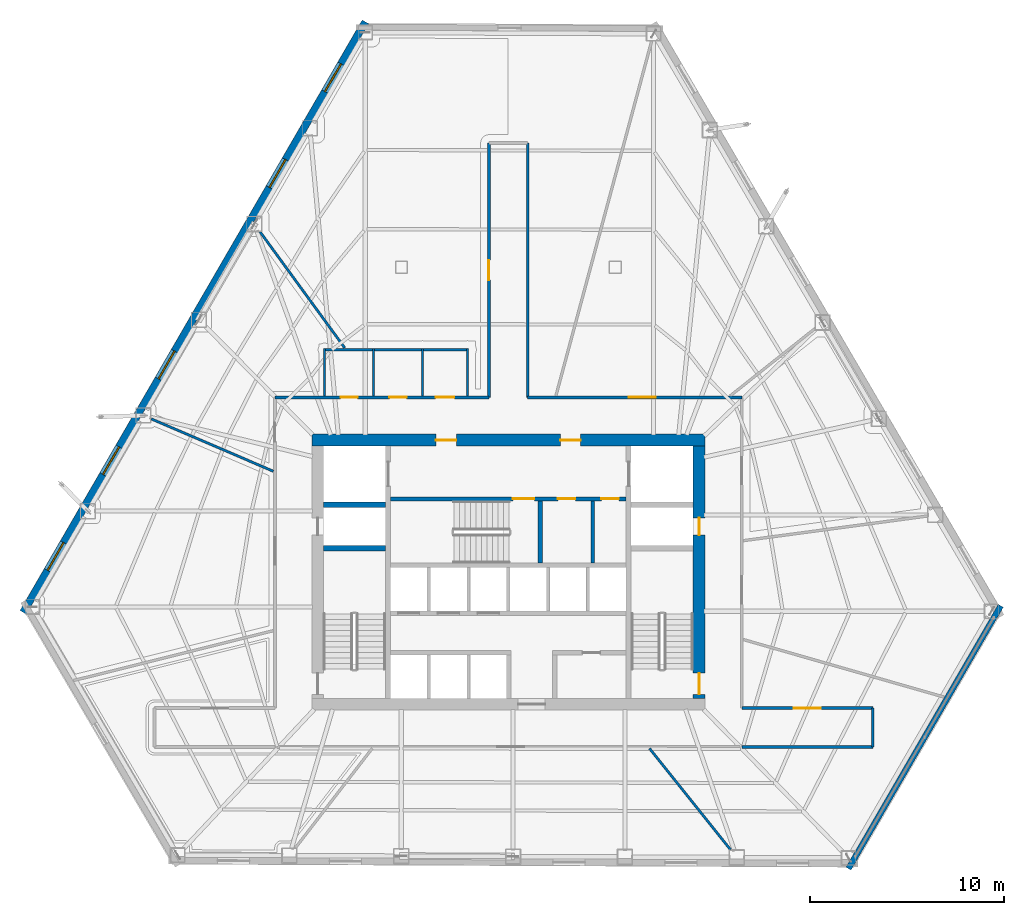
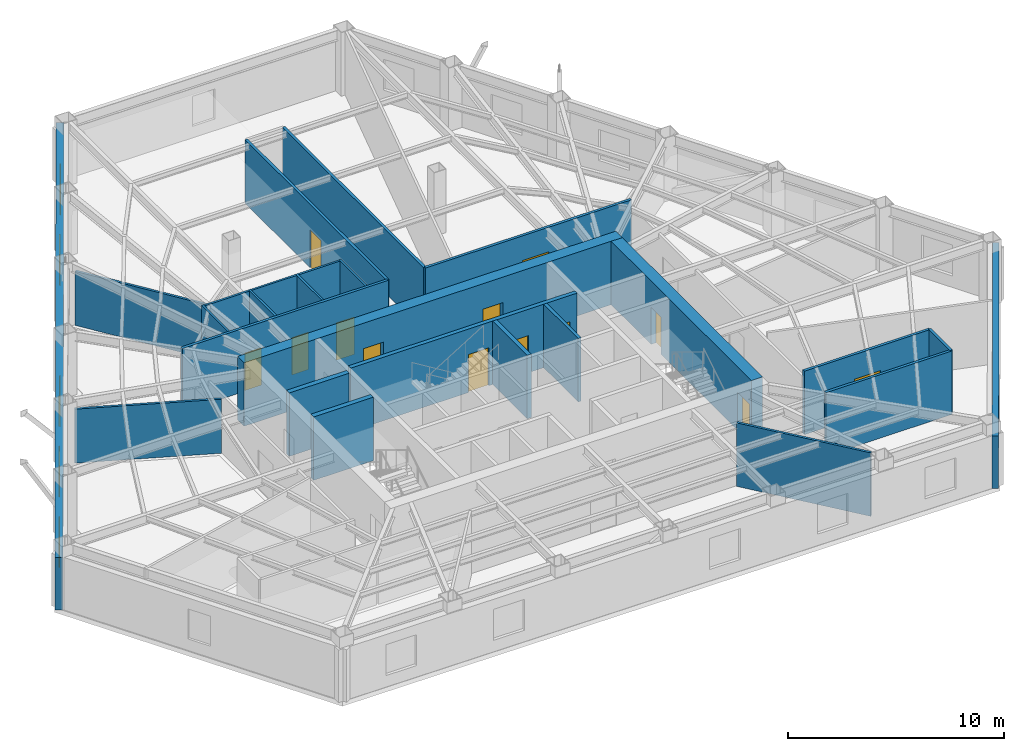
# One storey, part 10 of 14: 24 walls, 13 doors, 5 windows, 18 openings.
"""IFC4 building model written with IfcOpenShell, lengths in metres."""

from ifc_helpers import new_model, si_unit, direction, frame, frame_2d, origin, place, context, subcontext, project, spatial, rectangle, extrude, material, layer, layer_set, type_object, element, fill, save


model = new_model("IFC4")

# Units and contexts
model_context = context("Model", 3, precision=1e-05, world=origin(), true_north=direction((0.0, 1.0)))
body_context = subcontext(model_context, "Body", "Model", "MODEL_VIEW")
ifc_project = project(units=[si_unit("LENGTHUNIT", "METRE"), si_unit("AREAUNIT", "SQUARE_METRE"), si_unit("VOLUMEUNIT", "CUBIC_METRE"), si_unit("PLANEANGLEUNIT", "RADIAN"), si_unit("MASSUNIT", "GRAM", prefix="KILO")], contexts=[model_context])

# Site, building, storey
site_placement = place(None, origin())
site = spatial("IfcSite", under=ifc_project, at=site_placement, CompositionType="ELEMENT")
building_placement = place(site_placement, origin())
building = spatial("IfcBuilding", under=site, at=building_placement, Name="Kavelnor Concourse Tower", CompositionType="ELEMENT")
storey_placement = place(building_placement, frame((0.0, 0.0, 52.199951171875)))
storey = spatial("IfcBuildingStorey", under=building, at=storey_placement, Name="L13", CompositionType="ELEMENT", Elevation=52.199951171875)

# Wall, openings, doors
ifc_material_1 = material(Name="Concrete C60/75", Category="concrete")
ifc_layer_1 = layer(ifc_material_1, 0.60009765625, Name="Concrete C60/75")
ifc_layer_set_1 = layer_set([ifc_layer_1], Name="Concrete C60/75")
wall_type_1 = type_object("IfcWallType", Name="WL-CORE-Z1-600", PredefinedType="SOLIDWALL", material=ifc_layer_set_1)
wall_1_placement = place(storey_placement, frame((27.8798828125, 22.89990234375, 0.0), z_axis=(0.0, 0.0, 1.0), x_axis=(1.0, 0.0, 0.0)))
wall_1 = element("IfcWall", 1, at=wall_1_placement, inside=storey, type_object=wall_type_1, Name="L13 Central Core North Shear Wall", PredefinedType="SOLIDWALL", context=body_context, shape_type="SweptSolid", body=[
    extrude(rectangle(XDim=20.240234375, YDim=0.60009765625, at=frame_2d((10.1201171875, 0.0))), origin(), (0.0, 0.0, 1.0), 3.590087890625),
])
opening_1_placement = place(wall_1_placement, frame((6.39501953125, 0.0, 0.0)))
opening_1 = element("IfcOpeningElement", 2, at=opening_1_placement, cuts=wall_1, Name="Opening FD-105", PredefinedType="OPENING", context=body_context, shape_type="SweptSolid", body=[
    extrude(rectangle(XDim=1.050048828125, YDim=2.14990234375, at=frame_2d((0.52490234375, 1.074951171875))), frame((0.0, 0.31005859375, 0.0), z_axis=(0.0, -1.0, 0.0), x_axis=(1.0, 0.0, 0.0)), (0.0, 0.0, 1.0), 0.6201171875),
])
opening_2_placement = place(wall_1_placement, frame((12.794921875, 0.0, 0.0)))
opening_2 = element("IfcOpeningElement", 3, at=opening_2_placement, cuts=wall_1, Name="Opening FD-105", PredefinedType="OPENING", context=body_context, shape_type="SweptSolid", body=[
    extrude(rectangle(XDim=1.050048828125, YDim=2.14990234375, at=frame_2d((0.52490234375, 1.074951171875))), frame((0.0, 0.31005859375, 0.0), z_axis=(0.0, -1.0, 0.0), x_axis=(1.0, 0.0, 0.0)), (0.0, 0.0, 1.0), 0.6201171875),
])
ifc_material_2 = material(Name="Steel Grade 350", Category="steel")
door_type_1 = type_object("IfcDoorType", Name="DR-LOBBY-FIRE-1050", OperationType="NOTDEFINED", PredefinedType="DOOR", material=ifc_material_2)
door_1_placement = place(opening_1_placement, origin())
door_1 = element("IfcDoor", 4, at=door_1_placement, inside=storey, type_object=door_type_1, Name="L13 Emergency Lift Lobby West Door", OperationType="SINGLE_SWING_LEFT", OverallHeight=2.14990234375, OverallWidth=1.050048828125, PredefinedType="DOOR", context=body_context, shape_type="SweptSolid", body=[
    extrude(rectangle(XDim=1.050048828125, YDim=2.14990234375, at=frame_2d((0.52490234375, 1.074951171875))), frame((0.0, 0.02490234375, 0.0), z_axis=(0.0, -1.0, 0.0), x_axis=(1.0, 0.0, 0.0)), (0.0, 0.0, 1.0), 0.050048828125),
])
fill(opening_1, door_1)
door_2_placement = place(opening_2_placement, origin())
door_2 = element("IfcDoor", 5, at=door_2_placement, inside=storey, type_object=door_type_1, Name="L13 Emergency Lift Lobby East Door", OperationType="SINGLE_SWING_RIGHT", OverallHeight=2.14990234375, OverallWidth=1.050048828125, PredefinedType="DOOR", context=body_context, shape_type="SweptSolid", body=[
    extrude(rectangle(XDim=1.050048828125, YDim=2.14990234375, at=frame_2d((0.52490234375, 1.074951171875))), frame((0.0, 0.02490234375, 0.0), z_axis=(0.0, -1.0, 0.0), x_axis=(1.0, 0.0, 0.0)), (0.0, 0.0, 1.0), 0.050048828125),
])
fill(opening_2, door_2)

wall_2_placement = place(storey_placement, frame((47.820068359375, 9.60009765625, 0.0), z_axis=(0.0, 0.0, 1.0), x_axis=(0.0, 1.0, 0.0)))
wall_2 = element("IfcWall", 6, at=wall_2_placement, inside=storey, type_object=wall_type_1, Name="L13 Central Core East Shear Wall", PredefinedType="SOLIDWALL", context=body_context, shape_type="SweptSolid", body=[
    extrude(rectangle(XDim=13.0, YDim=0.60009765625, at=frame_2d((6.5, 0.0))), origin(), (0.0, 0.0, 1.0), 3.590087890625),
])
opening_3_placement = place(wall_2_placement, frame((0.199951171875, 0.0, 0.0)))
opening_3 = element("IfcOpeningElement", 7, at=opening_3_placement, cuts=wall_2, Name="Opening FD-110", PredefinedType="OPENING", context=body_context, shape_type="SweptSolid", body=[
    extrude(rectangle(XDim=1.10009765625, YDim=2.14990234375, at=frame_2d((0.550048828125, 1.074951171875))), frame((0.0, 0.31005859375, 0.0), z_axis=(0.0, -1.0, 0.0), x_axis=(1.0, 0.0, 0.0)), (0.0, 0.0, 1.0), 0.6201171875),
])
opening_4_placement = place(wall_2_placement, frame((8.39990234375, 0.0, 0.0)))
opening_4 = element("IfcOpeningElement", 8, at=opening_4_placement, cuts=wall_2, Name="Opening FD-090", PredefinedType="OPENING", context=body_context, shape_type="SweptSolid", body=[
    extrude(rectangle(XDim=0.89990234375, YDim=2.10009765625, at=frame_2d((0.449951171875, 1.050048828125))), frame((0.0, 0.31005859375, 0.0), z_axis=(0.0, -1.0, 0.0), x_axis=(1.0, 0.0, 0.0)), (0.0, 0.0, 1.0), 0.6201171875),
])
door_type_2 = type_object("IfcDoorType", Name="DR-RISER-FIRE-900", OperationType="NOTDEFINED", PredefinedType="DOOR", material=ifc_material_2)
door_3_placement = place(opening_4_placement, origin())
door_3 = element("IfcDoor", 9, at=door_3_placement, inside=storey, type_object=door_type_2, Name="L13 East Riser Access Door", OperationType="SINGLE_SWING_LEFT", OverallHeight=2.10009765625, OverallWidth=0.89990234375, PredefinedType="DOOR", context=body_context, shape_type="SweptSolid", body=[
    extrude(rectangle(XDim=0.89990234375, YDim=2.10009765625, at=frame_2d((0.449951171875, 1.050048828125))), frame((0.0, 0.02490234375, 0.0), z_axis=(0.0, -1.0, 0.0), x_axis=(1.0, 0.0, 0.0)), (0.0, 0.0, 1.0), 0.050048828125),
])
fill(opening_4, door_3)
door_type_3 = type_object("IfcDoorType", Name="DR-STAIR-FIRE-1100", OperationType="NOTDEFINED", PredefinedType="DOOR", material=ifc_material_2)
door_4_placement = place(opening_3_placement, origin())
door_4 = element("IfcDoor", 10, at=door_4_placement, inside=storey, type_object=door_type_3, Name="L13 Stair ST2 Fire Door", OperationType="SINGLE_SWING_RIGHT", OverallHeight=2.14990234375, OverallWidth=1.10009765625, PredefinedType="DOOR", context=body_context, shape_type="SweptSolid", body=[
    extrude(rectangle(XDim=1.10009765625, YDim=2.14990234375, at=frame_2d((0.550048828125, 1.074951171875))), frame((0.0, 0.02490234375, 0.0), z_axis=(0.0, -1.0, 0.0), x_axis=(1.0, 0.0, 0.0)), (0.0, 0.0, 1.0), 0.050048828125),
])
fill(opening_3, door_4)

# Wall
ifc_material_3 = material(Name="Buff ironspot clay face brick masonry", Category="masonry")
ifc_layer_2 = layer(ifc_material_3, 0.300048828125, Name="Buff ironspot clay face brick masonry")
ifc_layer_set_2 = layer_set([ifc_layer_2], Name="Buff ironspot clay face brick masonry")
wall_type_2 = type_object("IfcWallType", Name="WL-EXT-BUFF-BRICK-FOLD-300", PredefinedType="STANDARD", material=ifc_layer_set_2)
wall_3_placement = place(storey_placement, frame((63.35693359375, 14.366943359375, 0.0), z_axis=(0.0, 0.0, 1.0), x_axis=(-0.501382622634, -0.86522567329, 0.0)))
element("IfcWall", 11, at=wall_3_placement, inside=storey, type_object=wall_type_2, Name="L13 Exterior Brick Facade Wall E4", PredefinedType="STANDARD", context=body_context, shape_type="SweptSolid", body=[
    extrude(rectangle(XDim=15.641845703125, YDim=0.300048828125, at=frame_2d((7.82080078125, 0.0))), origin(), (0.0, 0.0, 1.0), 2.969970703125),
])

# Wall, openings, windows
ifc_material_4 = material(Name="Red-ochre clay face brick masonry", Category="masonry")
ifc_layer_3 = layer(ifc_material_4, 0.3798828125, Name="Red-ochre clay face brick masonry")
ifc_layer_set_3 = layer_set([ifc_layer_3], Name="Red-ochre clay face brick masonry")
wall_type_3 = type_object("IfcWallType", Name="WL-EXT-RED-BRICK-PIER-380", PredefinedType="STANDARD", material=ifc_layer_set_3)
wall_4_placement = place(storey_placement, frame((13.020263671875, 14.0283203125, 0.0), z_axis=(0.0, 0.0, 1.0), x_axis=(0.501385664719, 0.86522391045, 0.0)))
wall_4 = element("IfcWall", 12, at=wall_4_placement, inside=storey, type_object=wall_type_3, Name="L13 Exterior Brick Facade Wall E1", PredefinedType="STANDARD", context=body_context, shape_type="SweptSolid", body=[
    extrude(rectangle(XDim=35.142333984375, YDim=0.3798828125, at=frame_2d((17.5712890625, 0.0))), origin(), (0.0, 0.0, 1.0), 2.969970703125),
])
opening_5_placement = place(wall_4_placement, frame((30.99072265625, 0.0, 0.64990234375)))
opening_5 = element("IfcOpeningElement", 13, at=opening_5_placement, cuts=wall_4, Name="Opening W-01", PredefinedType="OPENING", context=body_context, shape_type="SweptSolid", body=[
    extrude(rectangle(XDim=1.64990234375, YDim=1.75, at=frame_2d((0.824951171875, 0.875))), frame((0.0, 0.199951171875, 0.0), z_axis=(0.0, -1.0, 0.0), x_axis=(1.0, 0.0, 0.0)), (0.0, 0.0, 1.0), 0.39990234375),
])
opening_6_placement = place(wall_4_placement, frame((25.293212890625, 0.0, 0.64990234375)))
opening_6 = element("IfcOpeningElement", 14, at=opening_6_placement, cuts=wall_4, Name="Opening W-01", PredefinedType="OPENING", context=body_context, shape_type="SweptSolid", body=[
    extrude(rectangle(XDim=1.64990234375, YDim=1.75, at=frame_2d((0.824951171875, 0.875))), frame((0.0, 0.199951171875, 0.0), z_axis=(0.0, -1.0, 0.0), x_axis=(1.0, 0.0, 0.0)), (0.0, 0.0, 1.0), 0.39990234375),
])
opening_7_placement = place(wall_4_placement, frame((13.898193359375, 0.0, 0.64990234375)))
opening_7 = element("IfcOpeningElement", 15, at=opening_7_placement, cuts=wall_4, Name="Opening W-01", PredefinedType="OPENING", context=body_context, shape_type="SweptSolid", body=[
    extrude(rectangle(XDim=1.64990234375, YDim=1.75, at=frame_2d((0.824951171875, 0.875))), frame((0.0, 0.199951171875, 0.0), z_axis=(0.0, -1.0, 0.0), x_axis=(1.0, 0.0, 0.0)), (0.0, 0.0, 1.0), 0.39990234375),
])
opening_8_placement = place(wall_4_placement, frame((8.20068359375, 0.0, 0.64990234375)))
opening_8 = element("IfcOpeningElement", 16, at=opening_8_placement, cuts=wall_4, Name="Opening W-01", PredefinedType="OPENING", context=body_context, shape_type="SweptSolid", body=[
    extrude(rectangle(XDim=1.64990234375, YDim=1.75, at=frame_2d((0.824951171875, 0.875))), frame((0.0, 0.199951171875, 0.0), z_axis=(0.0, -1.0, 0.0), x_axis=(1.0, 0.0, 0.0)), (0.0, 0.0, 1.0), 0.39990234375),
])
opening_9_placement = place(wall_4_placement, frame((2.50341796875, 0.0, 0.64990234375)))
opening_9 = element("IfcOpeningElement", 17, at=opening_9_placement, cuts=wall_4, Name="Opening W-01", PredefinedType="OPENING", context=body_context, shape_type="SweptSolid", body=[
    extrude(rectangle(XDim=1.64990234375, YDim=1.75, at=frame_2d((0.824951171875, 0.875))), frame((0.0, 0.199951171875, 0.0), z_axis=(0.0, -1.0, 0.0), x_axis=(1.0, 0.0, 0.0)), (0.0, 0.0, 1.0), 0.39990234375),
])
ifc_material_5 = material(Name="Double low-E argon insulated glazing", Category="glass")
window_type = type_object("IfcWindowType", Name="WIN-PIER-Z1-1800", PartitioningType="SINGLE_PANEL", PredefinedType="WINDOW", material=ifc_material_5)
window_1_placement = place(opening_5_placement, origin())
window_1 = element("IfcWindow", 18, at=window_1_placement, inside=storey, type_object=window_type, Name="L13 Deep-Set Brick Pier Window F0-B0", OverallHeight=1.75, OverallWidth=1.64990234375, PartitioningType="SINGLE_PANEL", PredefinedType="WINDOW", context=body_context, shape_type="SweptSolid", body=[
    extrude(rectangle(XDim=1.64990234375, YDim=1.75, at=frame_2d((0.824951171875, 0.875))), frame((0.0, 0.030029296875, 0.0), z_axis=(0.0, -1.0, 0.0), x_axis=(1.0, 0.0, 0.0)), (0.0, 0.0, 1.0), 0.06005859375),
])
fill(opening_5, window_1)
window_2_placement = place(opening_6_placement, origin())
window_2 = element("IfcWindow", 19, at=window_2_placement, inside=storey, type_object=window_type, Name="L13 Deep-Set Brick Pier Window F0-B1", OverallHeight=1.75, OverallWidth=1.64990234375, PartitioningType="SINGLE_PANEL", PredefinedType="WINDOW", context=body_context, shape_type="SweptSolid", body=[
    extrude(rectangle(XDim=1.64990234375, YDim=1.75, at=frame_2d((0.824951171875, 0.875))), frame((0.0, 0.030029296875, 0.0), z_axis=(0.0, -1.0, 0.0), x_axis=(1.0, 0.0, 0.0)), (0.0, 0.0, 1.0), 0.06005859375),
])
fill(opening_6, window_2)
window_3_placement = place(opening_7_placement, origin())
window_3 = element("IfcWindow", 20, at=window_3_placement, inside=storey, type_object=window_type, Name="L13 Deep-Set Brick Pier Window F0-B3", OverallHeight=1.75, OverallWidth=1.64990234375, PartitioningType="SINGLE_PANEL", PredefinedType="WINDOW", context=body_context, shape_type="SweptSolid", body=[
    extrude(rectangle(XDim=1.64990234375, YDim=1.75, at=frame_2d((0.824951171875, 0.875))), frame((0.0, 0.030029296875, 0.0), z_axis=(0.0, -1.0, 0.0), x_axis=(1.0, 0.0, 0.0)), (0.0, 0.0, 1.0), 0.06005859375),
])
fill(opening_7, window_3)
window_4_placement = place(opening_8_placement, origin())
window_4 = element("IfcWindow", 21, at=window_4_placement, inside=storey, type_object=window_type, Name="L13 Deep-Set Brick Pier Window F0-B4", OverallHeight=1.75, OverallWidth=1.64990234375, PartitioningType="SINGLE_PANEL", PredefinedType="WINDOW", context=body_context, shape_type="SweptSolid", body=[
    extrude(rectangle(XDim=1.64990234375, YDim=1.75, at=frame_2d((0.824951171875, 0.875))), frame((0.0, 0.030029296875, 0.0), z_axis=(0.0, -1.0, 0.0), x_axis=(1.0, 0.0, 0.0)), (0.0, 0.0, 1.0), 0.06005859375),
])
fill(opening_8, window_4)
window_5_placement = place(opening_9_placement, origin())
window_5 = element("IfcWindow", 22, at=window_5_placement, inside=storey, type_object=window_type, Name="L13 Deep-Set Brick Pier Window F0-B5", OverallHeight=1.75, OverallWidth=1.64990234375, PartitioningType="SINGLE_PANEL", PredefinedType="WINDOW", context=body_context, shape_type="SweptSolid", body=[
    extrude(rectangle(XDim=1.64990234375, YDim=1.75, at=frame_2d((0.824951171875, 0.875))), frame((0.0, 0.030029296875, 0.0), z_axis=(0.0, -1.0, 0.0), x_axis=(1.0, 0.0, 0.0)), (0.0, 0.0, 1.0), 0.06005859375),
])
fill(opening_9, window_5)

# Wall, openings, doors
ifc_material_6 = material(Name="Gypsum plasterboard on light-gauge steel studs", Category="steel")
ifc_layer_4 = layer(ifc_material_6, 0.14501953125, Name="Gypsum plasterboard on light-gauge steel studs")
ifc_layer_set_4 = layer_set([ifc_layer_4], Name="Gypsum plasterboard on light-gauge steel studs")
wall_type_4 = type_object("IfcWallType", Name="WL-INT-CORR-145", PredefinedType="PARTITIONING", material=ifc_layer_set_4)
wall_5_placement = place(storey_placement, frame((25.97998046875, 25.10009765625, 0.0), z_axis=(0.0, 0.0, 1.0), x_axis=(1.0, 0.0, 0.0)))
wall_5 = element("IfcWall", 23, at=wall_5_placement, inside=storey, type_object=wall_type_4, Name="L13 Corridor Wall WL-L13-CR-03", PredefinedType="PARTITIONING", context=body_context, shape_type="SweptSolid", body=[
    extrude(rectangle(XDim=11.02001953125, YDim=0.14501953125, at=frame_2d((5.510009765625, 0.0))), origin(), (0.0, 0.0, 1.0), 3.590087890625),
])
opening_10_placement = place(wall_5_placement, frame((3.3798828125, 0.0, 0.0)))
opening_10 = element("IfcOpeningElement", 24, at=opening_10_placement, cuts=wall_5, Name="Opening WD-088", PredefinedType="OPENING", context=body_context, shape_type="SweptSolid", body=[
    extrude(rectangle(XDim=0.8798828125, YDim=2.10009765625, at=frame_2d((0.43994140625, 1.050048828125))), frame((0.0, 0.08251953125, 0.0), z_axis=(0.0, -1.0, 0.0), x_axis=(1.0, 0.0, 0.0)), (0.0, 0.0, 1.0), 0.1650390625),
])
opening_11_placement = place(wall_5_placement, frame((5.89990234375, 0.0, 0.0)))
opening_11 = element("IfcOpeningElement", 25, at=opening_11_placement, cuts=wall_5, Name="Opening WD-088", PredefinedType="OPENING", context=body_context, shape_type="SweptSolid", body=[
    extrude(rectangle(XDim=0.8798828125, YDim=2.10009765625, at=frame_2d((0.43994140625, 1.050048828125))), frame((0.0, 0.08251953125, 0.0), z_axis=(0.0, -1.0, 0.0), x_axis=(1.0, 0.0, 0.0)), (0.0, 0.0, 1.0), 0.1650390625),
])
opening_12_placement = place(wall_5_placement, frame((8.280029296875, 0.0, 0.0)))
opening_12 = element("IfcOpeningElement", 26, at=opening_12_placement, cuts=wall_5, Name="Opening WD-096", PredefinedType="OPENING", context=body_context, shape_type="SweptSolid", body=[
    extrude(rectangle(XDim=0.9599609375, YDim=2.10009765625, at=frame_2d((0.47998046875, 1.050048828125))), frame((0.0, 0.08251953125, 0.0), z_axis=(0.0, -1.0, 0.0), x_axis=(1.0, 0.0, 0.0)), (0.0, 0.0, 1.0), 0.1650390625),
])
ifc_material_7 = material(Name="Solid-core hardwood timber", Category="wood")
door_type_4 = type_object("IfcDoorType", Name="DR-WC-ACC-960", OperationType="NOTDEFINED", PredefinedType="DOOR", material=ifc_material_7)
door_5_placement = place(opening_12_placement, origin())
door_5 = element("IfcDoor", 27, at=door_5_placement, inside=storey, type_object=door_type_4, Name="L13 Accessible WC Door", OperationType="SINGLE_SWING_RIGHT", OverallHeight=2.10009765625, OverallWidth=0.9599609375, PredefinedType="DOOR", context=body_context, shape_type="SweptSolid", body=[
    extrude(rectangle(XDim=0.9599609375, YDim=2.10009765625, at=frame_2d((0.47998046875, 1.050048828125))), frame((0.0, 0.02490234375, 0.0), z_axis=(0.0, -1.0, 0.0), x_axis=(1.0, 0.0, 0.0)), (0.0, 0.0, 1.0), 0.050048828125),
])
fill(opening_12, door_5)
door_type_5 = type_object("IfcDoorType", Name="DR-WC-STD-880", OperationType="NOTDEFINED", PredefinedType="DOOR", material=ifc_material_7)
door_6_placement = place(opening_10_placement, origin())
door_6 = element("IfcDoor", 28, at=door_6_placement, inside=storey, type_object=door_type_5, Name="L13 Male WC Door", OperationType="SINGLE_SWING_RIGHT", OverallHeight=2.10009765625, OverallWidth=0.8798828125, PredefinedType="DOOR", context=body_context, shape_type="SweptSolid", body=[
    extrude(rectangle(XDim=0.8798828125, YDim=2.10009765625, at=frame_2d((0.43994140625, 1.050048828125))), frame((0.0, 0.02490234375, 0.0), z_axis=(0.0, -1.0, 0.0), x_axis=(1.0, 0.0, 0.0)), (0.0, 0.0, 1.0), 0.050048828125),
])
fill(opening_10, door_6)
door_7_placement = place(opening_11_placement, origin())
door_7 = element("IfcDoor", 29, at=door_7_placement, inside=storey, type_object=door_type_5, Name="L13 Female WC Door", OperationType="SINGLE_SWING_LEFT", OverallHeight=2.10009765625, OverallWidth=0.8798828125, PredefinedType="DOOR", context=body_context, shape_type="SweptSolid", body=[
    extrude(rectangle(XDim=0.8798828125, YDim=2.10009765625, at=frame_2d((0.43994140625, 1.050048828125))), frame((0.0, 0.02490234375, 0.0), z_axis=(0.0, -1.0, 0.0), x_axis=(1.0, 0.0, 0.0)), (0.0, 0.0, 1.0), 0.050048828125),
])
fill(opening_11, door_7)

# Wall, opening, door
wall_6_placement = place(storey_placement, frame((37.0, 25.10009765625, 0.0), z_axis=(0.0, 0.0, 1.0), x_axis=(0.0, 1.0, 0.0)))
wall_6 = element("IfcWall", 30, at=wall_6_placement, inside=storey, type_object=wall_type_4, Name="L13 Corridor Wall WL-L13-CR-04", PredefinedType="PARTITIONING", context=body_context, shape_type="SweptSolid", body=[
    extrude(rectangle(XDim=13.099853515625, YDim=0.14501953125, at=frame_2d((6.5498046875, 0.0))), origin(), (0.0, 0.0, 1.0), 3.590087890625),
])
opening_13_placement = place(wall_6_placement, frame((6.0400390625, 0.0, 0.0)))
opening_13 = element("IfcOpeningElement", 31, at=opening_13_placement, cuts=wall_6, Name="Opening MD-102", PredefinedType="OPENING", context=body_context, shape_type="SweptSolid", body=[
    extrude(rectangle(XDim=1.02001953125, YDim=2.14990234375, at=frame_2d((0.510009765625, 1.074951171875))), frame((0.0, 0.08251953125, 0.0), z_axis=(0.0, -1.0, 0.0), x_axis=(1.0, 0.0, 0.0)), (0.0, 0.0, 1.0), 0.1650390625),
])
ifc_material_8 = material(Name="Acoustic glazed timber frame", Category="wood")
door_type_6 = type_object("IfcDoorType", Name="DR-MEETING-1020", OperationType="NOTDEFINED", PredefinedType="DOOR", material=ifc_material_8)
door_8_placement = place(opening_13_placement, origin())
door_8 = element("IfcDoor", 32, at=door_8_placement, inside=storey, type_object=door_type_6, Name="L13 Client Boardroom 03 Door", OperationType="SINGLE_SWING_LEFT", OverallHeight=2.14990234375, OverallWidth=1.02001953125, PredefinedType="DOOR", context=body_context, shape_type="SweptSolid", body=[
    extrude(rectangle(XDim=1.02001953125, YDim=2.14990234375, at=frame_2d((0.510009765625, 1.074951171875))), frame((0.0, 0.02490234375, 0.0), z_axis=(0.0, -1.0, 0.0), x_axis=(1.0, 0.0, 0.0)), (0.0, 0.0, 1.0), 0.050048828125),
])
fill(opening_13, door_8)

# Wall
wall_7_placement = place(storey_placement, frame((39.0, 38.199951171875, 0.0), z_axis=(0.0, 0.0, 1.0), x_axis=(0.0, -1.0, 0.0)))
element("IfcWall", 33, at=wall_7_placement, inside=storey, type_object=wall_type_4, Name="L13 Corridor Wall WL-L13-CR-06", PredefinedType="PARTITIONING", context=body_context, shape_type="SweptSolid", body=[
    extrude(rectangle(XDim=13.099853515625, YDim=0.14501953125, at=frame_2d((6.5498046875, 0.0))), origin(), (0.0, 0.0, 1.0), 3.590087890625),
])

# Wall, opening, door
wall_8_placement = place(storey_placement, frame((39.0, 25.10009765625, 0.0), z_axis=(0.0, 0.0, 1.0), x_axis=(1.0, 0.0, 0.0)))
wall_8 = element("IfcWall", 34, at=wall_8_placement, inside=storey, type_object=wall_type_4, Name="L13 Corridor Wall WL-L13-CR-07", PredefinedType="PARTITIONING", context=body_context, shape_type="SweptSolid", body=[
    extrude(rectangle(XDim=11.02001953125, YDim=0.14501953125, at=frame_2d((5.510009765625, 0.0))), origin(), (0.0, 0.0, 1.0), 3.590087890625),
])
opening_14_placement = place(wall_8_placement, frame((5.188720703125, 0.0, 0.0)))
opening_14 = element("IfcOpeningElement", 35, at=opening_14_placement, cuts=wall_8, Name="Opening SD-140", PredefinedType="OPENING", context=body_context, shape_type="SweptSolid", body=[
    extrude(rectangle(XDim=1.39990234375, YDim=2.199951171875, at=frame_2d((0.699951171875, 1.10009765625))), frame((0.0, 0.08251953125, 0.0), z_axis=(0.0, -1.0, 0.0), x_axis=(1.0, 0.0, 0.0)), (0.0, 0.0, 1.0), 0.1650390625),
])
door_type_7 = type_object("IfcDoorType", Name="DR-SUITE-ENTRY-1400", OperationType="NOTDEFINED", PredefinedType="DOOR", material=ifc_material_7)
door_9_placement = place(opening_14_placement, origin())
door_9 = element("IfcDoor", 36, at=door_9_placement, inside=storey, type_object=door_type_7, Name="L13 Architectural Design Studio 02 Door", OperationType="SINGLE_SWING_RIGHT", OverallHeight=2.199951171875, OverallWidth=1.39990234375, PredefinedType="DOOR", context=body_context, shape_type="SweptSolid", body=[
    extrude(rectangle(XDim=1.39990234375, YDim=2.199951171875, at=frame_2d((0.699951171875, 1.10009765625))), frame((0.0, 0.02490234375, 0.0), z_axis=(0.0, -1.0, 0.0), x_axis=(1.0, 0.0, 0.0)), (0.0, 0.0, 1.0), 0.050048828125),
])
fill(opening_14, door_9)

wall_9_placement = place(storey_placement, frame((50.02001953125, 9.10009765625, 0.0), z_axis=(0.0, 0.0, 1.0), x_axis=(1.0, 0.0, 0.0)))
wall_9 = element("IfcWall", 37, at=wall_9_placement, inside=storey, type_object=wall_type_4, Name="L13 Corridor Wall WL-L13-CR-09", PredefinedType="PARTITIONING", context=body_context, shape_type="SweptSolid", body=[
    extrude(rectangle(XDim=6.748291015625, YDim=0.14501953125, at=frame_2d((3.3740234375, 0.0))), origin(), (0.0, 0.0, 1.0), 3.590087890625),
])
opening_15_placement = place(wall_9_placement, frame((2.674072265625, 0.0, 0.0)))
opening_15 = element("IfcOpeningElement", 38, at=opening_15_placement, cuts=wall_9, Name="Opening SD-140", PredefinedType="OPENING", context=body_context, shape_type="SweptSolid", body=[
    extrude(rectangle(XDim=1.39990234375, YDim=2.199951171875, at=frame_2d((0.699951171875, 1.10009765625))), frame((0.0, 0.08251953125, 0.0), z_axis=(0.0, -1.0, 0.0), x_axis=(1.0, 0.0, 0.0)), (0.0, 0.0, 1.0), 0.1650390625),
])
door_10_placement = place(opening_15_placement, origin())
door_10 = element("IfcDoor", 39, at=door_10_placement, inside=storey, type_object=door_type_7, Name="L13 Staff Breakout Pantry 08 Door", OperationType="SINGLE_SWING_RIGHT", OverallHeight=2.199951171875, OverallWidth=1.39990234375, PredefinedType="DOOR", context=body_context, shape_type="SweptSolid", body=[
    extrude(rectangle(XDim=1.39990234375, YDim=2.199951171875, at=frame_2d((0.699951171875, 1.10009765625))), frame((0.0, 0.02490234375, 0.0), z_axis=(0.0, -1.0, 0.0), x_axis=(1.0, 0.0, 0.0)), (0.0, 0.0, 1.0), 0.050048828125),
])
fill(opening_15, door_10)

# Walls
wall_10_placement = place(storey_placement, frame((56.768310546875, 9.10009765625, 0.0), z_axis=(0.0, 0.0, 1.0), x_axis=(0.0, -1.0, 0.0)))
element("IfcWall", 40, at=wall_10_placement, inside=storey, type_object=wall_type_4, Name="L13 Corridor Wall WL-L13-CR-10", PredefinedType="PARTITIONING", context=body_context, shape_type="SweptSolid", body=[
    extrude(rectangle(XDim=2.0, YDim=0.14501953125, at=frame_2d((1.0, 0.0))), origin(), (0.0, 0.0, 1.0), 3.590087890625),
])
wall_11_placement = place(storey_placement, frame((56.768310546875, 7.10009765625, 0.0), z_axis=(0.0, 0.0, 1.0), x_axis=(-1.0, 0.0, 0.0)))
element("IfcWall", 41, at=wall_11_placement, inside=storey, type_object=wall_type_4, Name="L13 Corridor Wall WL-L13-CR-11", PredefinedType="PARTITIONING", context=body_context, shape_type="SweptSolid", body=[
    extrude(rectangle(XDim=6.748291015625, YDim=0.14501953125, at=frame_2d((3.3740234375, 0.0))), origin(), (0.0, 0.0, 1.0), 3.590087890625),
])
ifc_layer_5 = layer(ifc_material_6, 0.1650390625, Name="Gypsum plasterboard on light-gauge steel studs")
ifc_layer_set_5 = layer_set([ifc_layer_5], Name="Gypsum plasterboard on light-gauge steel studs")
wall_type_5 = type_object("IfcWallType", Name="WL-INT-FIRE-165", PredefinedType="PARTITIONING", material=ifc_layer_set_5)
wall_12_placement = place(storey_placement, frame((42.35009765625, 16.56005859375, 0.0), z_axis=(0.0, 0.0, 1.0), x_axis=(0.0, 1.0, 0.0)))
element("IfcWall", 42, at=wall_12_placement, inside=storey, type_object=wall_type_5, Name="L13 Core Support Asymmetric Divider", PredefinedType="PARTITIONING", context=body_context, shape_type="SweptSolid", body=[
    extrude(rectangle(XDim=3.199951171875, YDim=0.1650390625, at=frame_2d((1.60009765625, 0.0))), origin(), (0.0, 0.0, 1.0), 3.590087890625),
])
ifc_layer_6 = layer(ifc_material_6, 0.125, Name="Gypsum plasterboard on light-gauge steel studs")
ifc_layer_set_6 = layer_set([ifc_layer_6], Name="Gypsum plasterboard on light-gauge steel studs")
wall_type_6 = type_object("IfcWallType", Name="WL-INT-SUITE-125", PredefinedType="PARTITIONING", material=ifc_layer_set_6)
wall_13_placement = place(storey_placement, frame((29.572998046875, 27.64990234375, 0.0), z_axis=(0.0, 0.0, 1.0), x_axis=(-0.589404961233, 0.807837726077, 0.0)))
element("IfcWall", 43, at=wall_13_placement, inside=storey, type_object=wall_type_6, Name="L13 Radial Suite Partition 04", PredefinedType="PARTITIONING", context=body_context, shape_type="SweptSolid", body=[
    extrude(rectangle(XDim=7.387939453125, YDim=0.125, at=frame_2d((3.69384765625, 0.0))), origin(), (0.0, 0.0, 1.0), 3.05712890625),
])
wall_14_placement = place(storey_placement, frame((25.8994140625, 21.294189453125, 0.0), z_axis=(0.0, 0.0, 1.0), x_axis=(-0.918912196595, 0.394462133734, 0.0)))
element("IfcWall", 44, at=wall_14_placement, inside=storey, type_object=wall_type_6, Name="L13 Radial Suite Partition 05", PredefinedType="PARTITIONING", context=body_context, shape_type="SweptSolid", body=[
    extrude(rectangle(XDim=6.83837890625, YDim=0.125, at=frame_2d((3.419189453125, 0.0))), origin(), (0.0, 0.0, 1.0), 3.05712890625),
])
wall_15_placement = place(storey_placement, frame((45.269287109375, 7.01953125, 0.0), z_axis=(0.0, 0.0, 1.0), x_axis=(0.624971897844, -0.780647248702, 0.0)))
element("IfcWall", 45, at=wall_15_placement, inside=storey, type_object=wall_type_6, Name="L13 Radial Suite Partition 08", PredefinedType="PARTITIONING", context=body_context, shape_type="SweptSolid", body=[
    extrude(rectangle(XDim=6.666748046875, YDim=0.125, at=frame_2d((3.33349609375, 0.0))), origin(), (0.0, 0.0, 1.0), 3.590087890625),
])
ifc_layer_7 = layer(ifc_material_6, 0.110107421875, Name="Gypsum plasterboard on light-gauge steel studs")
ifc_layer_set_7 = layer_set([ifc_layer_7], Name="Gypsum plasterboard on light-gauge steel studs")
wall_type_7 = type_object("IfcWallType", Name="WL-INT-WC-110", PredefinedType="PLUMBINGWALL", material=ifc_layer_set_7)
for number, where, z_axis, x_axis, name in (
    (46, (28.5400390625, 25.169921875, 0.0), (0.0, 0.0, 1.0), (0.0, 1.0, 0.0), "L13 Sanitary Partition WL-L13-WC-W"),
    (47, (31.06005859375, 25.169921875, 0.0), (0.0, 0.0, 1.0), (0.0, 1.0, 0.0), "L13 Sanitary Partition WL-L13-WC-D1"),
    (48, (33.580078125, 25.169921875, 0.0), (0.0, 0.0, 1.0), (0.0, 1.0, 0.0), "L13 Sanitary Partition WL-L13-WC-D2"),
    (49, (35.89990234375, 25.169921875, 0.0), (0.0, 0.0, 1.0), (0.0, 1.0, 0.0), "L13 Sanitary Partition WL-L13-WC-E"),
):
    element("IfcWall", number, at=place(storey_placement, frame(where, z_axis=z_axis, x_axis=x_axis)), inside=storey, type_object=wall_type_7, Name=name, PredefinedType="PLUMBINGWALL", context=body_context, shape_type="SweptSolid", body=[
        extrude(rectangle(XDim=2.440185546875, YDim=0.110107421875, at=frame_2d((1.22021484375, 0.0))), origin(), (0.0, 0.0, 1.0), 3.590087890625),
    ])
wall_16_placement = place(storey_placement, frame((28.489990234375, 27.550048828125, 0.0), z_axis=(0.0, 0.0, 1.0), x_axis=(1.0, 0.0, 0.0)))
element("IfcWall", 50, at=wall_16_placement, inside=storey, type_object=wall_type_7, Name="L13 Sanitary Partition WL-L13-WC-N", PredefinedType="PLUMBINGWALL", context=body_context, shape_type="SweptSolid", body=[
    extrude(rectangle(XDim=7.4599609375, YDim=0.110107421875, at=frame_2d((3.72998046875, 0.0))), origin(), (0.0, 0.0, 1.0), 3.590087890625),
])

# Wall, openings, doors
ifc_material_9 = material(Name="Concrete C50/60", Category="concrete")
ifc_layer_8 = layer(ifc_material_9, 0.219970703125, Name="Concrete C50/60")
ifc_layer_set_8 = layer_set([ifc_layer_8], Name="Concrete C50/60")
wall_type_8 = type_object("IfcWallType", Name="WL-SHAFT-220", PredefinedType="SOLIDWALL", material=ifc_layer_set_8)
wall_17_placement = place(storey_placement, frame((31.93994140625, 19.8701171875, 0.0), z_axis=(0.0, 0.0, 1.0), x_axis=(1.0, 0.0, 0.0)))
wall_17 = element("IfcWall", 51, at=wall_17_placement, inside=storey, type_object=wall_type_8, Name="L13 Emergency Lift Lobby South Wall", PredefinedType="SOLIDWALL", context=body_context, shape_type="SweptSolid", body=[
    extrude(rectangle(XDim=12.1201171875, YDim=0.219970703125, at=frame_2d((6.06005859375, 0.0))), origin(), (0.0, 0.0, 1.0), 3.590087890625),
])
opening_16_placement = place(wall_17_placement, frame((6.300048828125, 0.0, 0.0)))
opening_16 = element("IfcOpeningElement", 52, at=opening_16_placement, cuts=wall_17, Name="Opening FD-110", PredefinedType="OPENING", context=body_context, shape_type="SweptSolid", body=[
    extrude(rectangle(XDim=1.10009765625, YDim=2.14990234375, at=frame_2d((0.550048828125, 1.074951171875))), frame((0.0, 0.1201171875, 0.0), z_axis=(0.0, -1.0, 0.0), x_axis=(1.0, 0.0, 0.0)), (0.0, 0.0, 1.0), 0.239990234375),
])
opening_17_placement = place(wall_17_placement, frame((8.610107421875, 0.0, 0.0)))
opening_17 = element("IfcOpeningElement", 53, at=opening_17_placement, cuts=wall_17, Name="Opening FD-090", PredefinedType="OPENING", context=body_context, shape_type="SweptSolid", body=[
    extrude(rectangle(XDim=0.89990234375, YDim=2.10009765625, at=frame_2d((0.449951171875, 1.050048828125))), frame((0.0, 0.1201171875, 0.0), z_axis=(0.0, -1.0, 0.0), x_axis=(1.0, 0.0, 0.0)), (0.0, 0.0, 1.0), 0.239990234375),
])
opening_18_placement = place(wall_17_placement, frame((10.85009765625, 0.0, 0.0)))
opening_18 = element("IfcOpeningElement", 54, at=opening_18_placement, cuts=wall_17, Name="Opening FD-090", PredefinedType="OPENING", context=body_context, shape_type="SweptSolid", body=[
    extrude(rectangle(XDim=0.89990234375, YDim=2.10009765625, at=frame_2d((0.449951171875, 1.050048828125))), frame((0.0, 0.1201171875, 0.0), z_axis=(0.0, -1.0, 0.0), x_axis=(1.0, 0.0, 0.0)), (0.0, 0.0, 1.0), 0.239990234375),
])
door_11_placement = place(opening_17_placement, origin())
door_11 = element("IfcDoor", 55, at=door_11_placement, inside=storey, type_object=door_type_2, Name="L13 Electrical Room Door", OperationType="SINGLE_SWING_LEFT", OverallHeight=2.10009765625, OverallWidth=0.89990234375, PredefinedType="DOOR", context=body_context, shape_type="SweptSolid", body=[
    extrude(rectangle(XDim=0.89990234375, YDim=2.10009765625, at=frame_2d((0.449951171875, 1.050048828125))), frame((0.0, 0.02490234375, 0.0), z_axis=(0.0, -1.0, 0.0), x_axis=(1.0, 0.0, 0.0)), (0.0, 0.0, 1.0), 0.050048828125),
])
fill(opening_17, door_11)
door_12_placement = place(opening_18_placement, origin())
door_12 = element("IfcDoor", 56, at=door_12_placement, inside=storey, type_object=door_type_2, Name="L13 Cleaner Store Door", OperationType="SINGLE_SWING_RIGHT", OverallHeight=2.10009765625, OverallWidth=0.89990234375, PredefinedType="DOOR", context=body_context, shape_type="SweptSolid", body=[
    extrude(rectangle(XDim=0.89990234375, YDim=2.10009765625, at=frame_2d((0.449951171875, 1.050048828125))), frame((0.0, 0.02490234375, 0.0), z_axis=(0.0, -1.0, 0.0), x_axis=(1.0, 0.0, 0.0)), (0.0, 0.0, 1.0), 0.050048828125),
])
fill(opening_18, door_12)
door_13_placement = place(opening_16_placement, origin())
door_13 = element("IfcDoor", 57, at=door_13_placement, inside=storey, type_object=door_type_3, Name="L13 Stair ST3 Fire Door", OperationType="SINGLE_SWING_LEFT", OverallHeight=2.14990234375, OverallWidth=1.10009765625, PredefinedType="DOOR", context=body_context, shape_type="SweptSolid", body=[
    extrude(rectangle(XDim=1.10009765625, YDim=2.14990234375, at=frame_2d((0.550048828125, 1.074951171875))), frame((0.0, 0.02490234375, 0.0), z_axis=(0.0, -1.0, 0.0), x_axis=(1.0, 0.0, 0.0)), (0.0, 0.0, 1.0), 0.050048828125),
])
fill(opening_16, door_13)

# Walls
wall_18_placement = place(storey_placement, frame((39.64990234375, 16.56005859375, 0.0), z_axis=(0.0, 0.0, 1.0), x_axis=(0.0, 1.0, 0.0)))
element("IfcWall", 58, at=wall_18_placement, inside=storey, type_object=wall_type_8, Name="L13 Stair ST3 East Core Wall", PredefinedType="SOLIDWALL", context=body_context, shape_type="SweptSolid", body=[
    extrude(rectangle(XDim=3.199951171875, YDim=0.219970703125, at=frame_2d((1.60009765625, 0.0))), origin(), (0.0, 0.0, 1.0), 3.590087890625),
])
ifc_layer_9 = layer(ifc_material_9, 0.260009765625, Name="Concrete C50/60")
ifc_layer_set_9 = layer_set([ifc_layer_9], Name="Concrete C50/60")
wall_type_9 = type_object("IfcWallType", Name="WL-SHAFT-260", PredefinedType="SHEAR", material=ifc_layer_set_9)
for number, where, z_axis, x_axis, name in (
    (59, (28.47998046875, 17.330078125, 0.0), (0.0, 0.0, 1.0), (1.0, 0.0, 0.0), "L13 Stair ST1 North Shaft Wall"),
    (60, (28.47998046875, 19.570068359375, 0.0), (0.0, 0.0, 1.0), (1.0, 0.0, 0.0), "L13 Emergency Lift FL1 South Shaft Wall"),
):
    element("IfcWall", number, at=place(storey_placement, frame(where, z_axis=z_axis, x_axis=x_axis)), inside=storey, type_object=wall_type_9, Name=name, PredefinedType="SHEAR", context=body_context, shape_type="SweptSolid", body=[
        extrude(rectangle(XDim=3.199951171875, YDim=0.260009765625, at=frame_2d((1.60009765625, 0.0))), origin(), (0.0, 0.0, 1.0), 3.590087890625),
    ])

save(model, "model.ifc")
